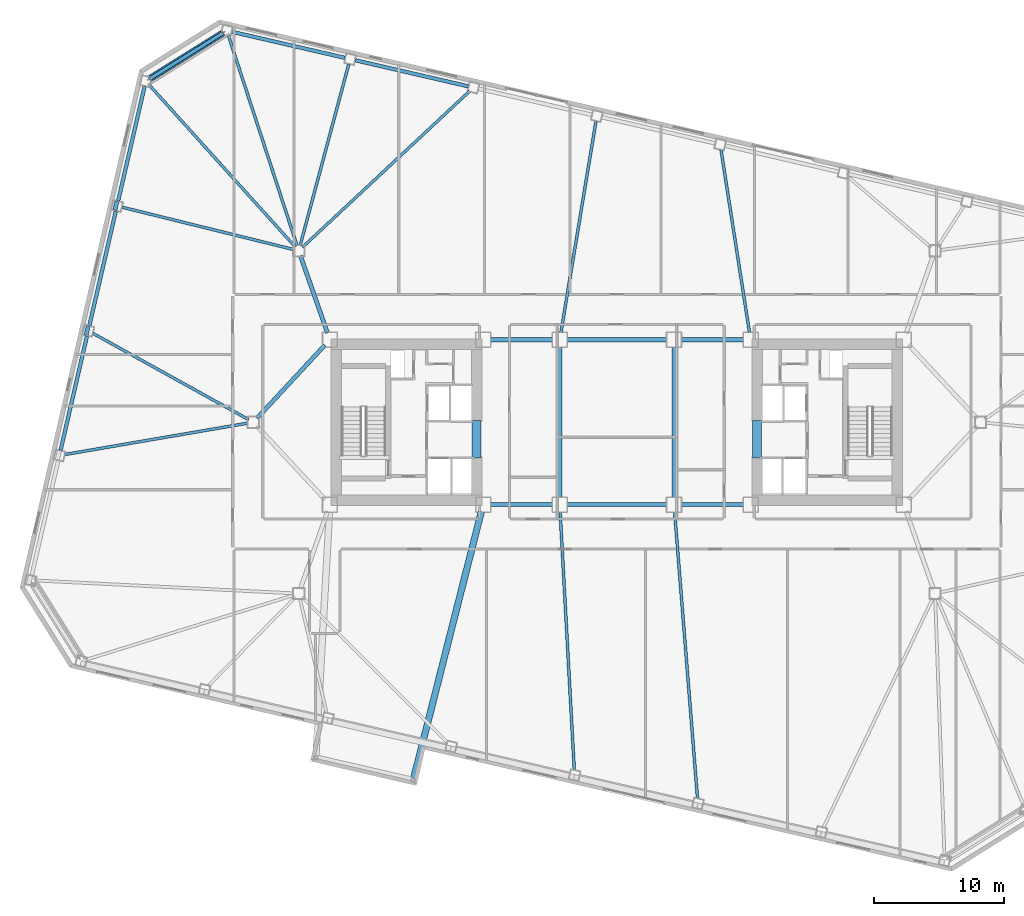
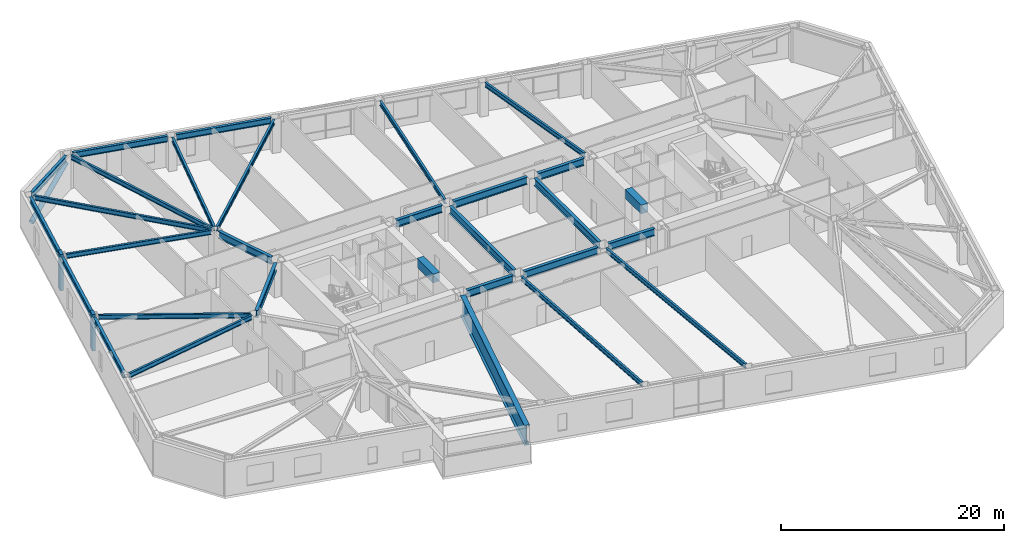
# One storey, part 4 of 18: 30 beams, 3 members.
"""IFC4 building model written with IfcOpenShell, lengths in metres."""

from ifc_helpers import new_model, si_unit, direction, frame, origin, origin_2d, place, context, subcontext, project, spatial, rectangle, hollow_circle, i_section, extrude, material, material_profile, profile_set, type_object, element, save


model = new_model("IFC4")

# Units and contexts
model_context = context("Model", 3, precision=1e-05, world=origin(), true_north=direction((0.0, 1.0)))
body_context = subcontext(model_context, "Body", "Model", "MODEL_VIEW")
ifc_project = project(units=[si_unit("LENGTHUNIT", "METRE"), si_unit("AREAUNIT", "SQUARE_METRE"), si_unit("VOLUMEUNIT", "CUBIC_METRE"), si_unit("PLANEANGLEUNIT", "RADIAN"), si_unit("MASSUNIT", "GRAM", prefix="KILO")], contexts=[model_context])

# Site, building, storey
site_placement = place(None, origin())
site = spatial("IfcSite", under=ifc_project, at=site_placement, CompositionType="ELEMENT")
building_placement = place(site_placement, origin())
building = spatial("IfcBuilding", under=site, at=building_placement, Name="Tavrogorsk Clinical Tower", CompositionType="ELEMENT")
storey_placement = place(building_placement, frame((0.0, 0.0, 47.39990234375)))
storey = spatial("IfcBuildingStorey", under=building, at=storey_placement, Name="L09", CompositionType="ELEMENT", Elevation=47.39990234375)

# Beams
ifc_material_1 = material(Name="Concrete B80", Category="concrete")
ifc_material_profile_1 = material_profile(ifc_material_1, rectangle(XDim=0.699951171875, YDim=0.949951171875, at=origin_2d()), Name="RC-CB-700x950")
ifc_profile_set_1 = profile_set([ifc_material_profile_1], Name="Concrete B80")
beam_type_1 = type_object("IfcBeamType", Name="CouplingBeam_RC700x950", PredefinedType="LINTEL", material=ifc_profile_set_1)
for number, where, z_axis, x_axis, name in (
    (1, (-10.800048828125, -2.75, 3.26513671875), (0.0, 1.0, 0.0), (-1.0, 0.0, 0.0), "L09 Core West Coupling Beam"),
    (2, (10.800048828125, -2.75, 3.26513671875), (0.0, 1.0, 0.0), (-1.0, 0.0, 0.0), "L09 Core East Coupling Beam"),
):
    element("IfcBeam", number, at=place(storey_placement, frame(where, z_axis=z_axis, x_axis=x_axis)), inside=storey, type_object=beam_type_1, Name=name, PredefinedType="LINTEL", context=body_context, shape_type="SweptSolid", body=[
        extrude(rectangle(XDim=0.699951171875, YDim=0.949951171875, at=origin_2d()), origin(), (0.0, 0.0, 1.0), 2.89990234375),
    ])

# Member
ifc_material_2 = material(Name="Structural steel S440", Category="steel")
ifc_material_profile_2 = material_profile(ifc_material_2, hollow_circle(Radius=0.25390625, WallThickness=0.02001953125, at=origin_2d()), Name="CHS-508x20")
ifc_profile_set_2 = profile_set([ifc_material_profile_2], Name="Structural steel S440")
member_type_1 = type_object("IfcMemberType", Name="ExoBrace_CHS508", PredefinedType="BRACE", material=ifc_profile_set_2)
member_placement = place(storey_placement, frame((-35.951904296875, 26.46240234375, 0.442626953125), z_axis=(0.794678685861, 0.496570017703, 0.349147538667), x_axis=(-0.529919005048, 0.848048258113, 0.0)))
element("IfcMember", 3, at=member_placement, inside=storey, type_object=member_type_1, Name="L09 Corner Exoskeleton Brace N8-W1", PredefinedType="BRACE", context=body_context, shape_type="SweptSolid", body=[
    extrude(hollow_circle(Radius=0.25390625, WallThickness=0.02001953125, at=origin_2d()), origin(), (0.0, 0.0, 1.0), 7.03173828125),
])

# Beams
ifc_material_3 = material(Name="Structural steel S355", Category="steel")
ifc_material_profile_3 = material_profile(ifc_material_3, i_section(OverallWidth=0.219970703125, OverallDepth=0.5, WebThickness=0.012939453125, FlangeThickness=0.02001953125, at=origin_2d()), Name="B-500x220x13x20")
ifc_profile_set_3 = profile_set([ifc_material_profile_3], Name="Structural steel S355")
beam_type_2 = type_object("IfcBeamType", Name="FloorBeam_B500", PredefinedType="BEAM", material=ifc_profile_set_3)
beam_1_placement = place(storey_placement, frame((-4.369384765625, -6.9091796875, 3.489990234375), z_axis=(0.054826938013, -0.998495872234, 0.0), x_axis=(0.998495872234, 0.054826938013, 0.0)))
element("IfcBeam", 4, at=beam_1_placement, inside=storey, type_object=beam_type_2, Name="L09 Radial Floor Beam S5", PredefinedType="BEAM", context=body_context, shape_type="SweptSolid", body=[
    extrude(i_section(OverallWidth=0.219970703125, OverallDepth=0.5, WebThickness=0.012939453125, FlangeThickness=0.02001953125, at=origin_2d()), origin(), (0.0, 0.0, 1.0), 19.891357421875),
])
beam_2_placement = place(storey_placement, frame((4.444580078125, -6.908203125, 3.489990234375), z_axis=(0.079775043579, -0.996812892384, 0.0), x_axis=(0.996812892384, 0.079775043579, 0.0)))
element("IfcBeam", 5, at=beam_2_placement, inside=storey, type_object=beam_type_2, Name="L09 Radial Floor Beam S6", PredefinedType="BEAM", context=body_context, shape_type="SweptSolid", body=[
    extrude(i_section(OverallWidth=0.219970703125, OverallDepth=0.5, WebThickness=0.012939453125, FlangeThickness=0.02001953125, at=origin_2d()), origin(), (0.0, 0.0, 1.0), 22.12646484375),
])
beam_3_placement = place(storey_placement, frame((10.213623046875, 6.9033203125, 3.489990234375), z_axis=(-0.154089917001, 0.988056829073, 0.0), x_axis=(-0.988056829073, -0.154089917001, 0.0)))
element("IfcBeam", 6, at=beam_3_placement, inside=storey, type_object=beam_type_2, Name="L09 Radial Floor Beam N4", PredefinedType="BEAM", context=body_context, shape_type="SweptSolid", body=[
    extrude(i_section(OverallWidth=0.219970703125, OverallDepth=0.5, WebThickness=0.012939453125, FlangeThickness=0.02001953125, at=origin_2d()), origin(), (0.0, 0.0, 1.0), 14.24853515625),
])
beam_4_placement = place(storey_placement, frame((-4.308349609375, 6.90234375, 3.489990234375), z_axis=(0.163563683006, 0.986532777763, 0.0), x_axis=(-0.986532777763, 0.163563683006, 0.0)))
element("IfcBeam", 7, at=beam_4_placement, inside=storey, type_object=beam_type_2, Name="L09 Radial Floor Beam N5", PredefinedType="BEAM", context=body_context, shape_type="SweptSolid", body=[
    extrude(i_section(OverallWidth=0.219970703125, OverallDepth=0.5, WebThickness=0.012939453125, FlangeThickness=0.02001953125, at=origin_2d()), origin(), (0.0, 0.0, 1.0), 16.4951171875),
])
beam_5_placement = place(storey_placement, frame((-24.200439453125, 13.47998046875, 3.489990234375), z_axis=(0.730781163302, 0.682611816015, 0.0), x_axis=(-0.682611816015, 0.730781163302, 0.0)))
element("IfcBeam", 8, at=beam_5_placement, inside=storey, type_object=beam_type_2, Name="L09 Radial Floor Beam N6", PredefinedType="BEAM", context=body_context, shape_type="SweptSolid", body=[
    extrude(i_section(OverallWidth=0.219970703125, OverallDepth=0.5, WebThickness=0.012939453125, FlangeThickness=0.02001953125, at=origin_2d()), origin(), (0.0, 0.0, 1.0), 17.597412109375),
])
beam_6_placement = place(storey_placement, frame((-24.393798828125, 13.595947265625, 3.489990234375), z_axis=(0.25900262632, 0.965876617151, 0.0), x_axis=(-0.965876617151, 0.25900262632, 0.0)))
element("IfcBeam", 9, at=beam_6_placement, inside=storey, type_object=beam_type_2, Name="L09 Radial Floor Beam N7", PredefinedType="BEAM", context=body_context, shape_type="SweptSolid", body=[
    extrude(i_section(OverallWidth=0.219970703125, OverallDepth=0.5, WebThickness=0.012939453125, FlangeThickness=0.02001953125, at=origin_2d()), origin(), (0.0, 0.0, 1.0), 14.46728515625),
])
beam_7_placement = place(storey_placement, frame((-24.62744140625, 13.58984375, 3.489990234375), z_axis=(-0.310546210819, 0.950558283824, 0.0), x_axis=(-0.950558283824, -0.310546210819, 0.0)))
element("IfcBeam", 10, at=beam_7_placement, inside=storey, type_object=beam_type_2, Name="L09 Radial Floor Beam N8", PredefinedType="BEAM", context=body_context, shape_type="SweptSolid", body=[
    extrude(i_section(OverallWidth=0.219970703125, OverallDepth=0.5, WebThickness=0.012939453125, FlangeThickness=0.02001953125, at=origin_2d()), origin(), (0.0, 0.0, 1.0), 17.0205078125),
])
beam_8_placement = place(storey_placement, frame((-24.774658203125, 13.50439453125, 3.489990234375), z_axis=(-0.669660294237, 0.742667550337, 0.0), x_axis=(-0.742667550337, -0.669660294237, 0.0)))
element("IfcBeam", 11, at=beam_8_placement, inside=storey, type_object=beam_type_2, Name="L09 Radial Floor Beam W1", PredefinedType="BEAM", context=body_context, shape_type="SweptSolid", body=[
    extrude(i_section(OverallWidth=0.219970703125, OverallDepth=0.5, WebThickness=0.012939453125, FlangeThickness=0.02001953125, at=origin_2d()), origin(), (0.0, 0.0, 1.0), 16.76708984375),
])
beam_9_placement = place(storey_placement, frame((-24.89794921875, 13.298095703125, 3.489990234375), z_axis=(-0.970889910259, 0.23952616174, 0.0), x_axis=(-0.23952616174, -0.970889910259, 0.0)))
element("IfcBeam", 12, at=beam_9_placement, inside=storey, type_object=beam_type_2, Name="L09 Radial Floor Beam W2", PredefinedType="BEAM", context=body_context, shape_type="SweptSolid", body=[
    extrude(i_section(OverallWidth=0.219970703125, OverallDepth=0.5, WebThickness=0.012939453125, FlangeThickness=0.02001953125, at=origin_2d()), origin(), (0.0, 0.0, 1.0), 13.595947265625),
])
beam_10_placement = place(storey_placement, frame((-28.358642578125, 0.19873046875, 3.489990234375), z_axis=(-0.874654711976, 0.484746464472, 0.0), x_axis=(-0.484746464472, -0.874654711976, 0.0)))
element("IfcBeam", 13, at=beam_10_placement, inside=storey, type_object=beam_type_2, Name="L09 Radial Floor Beam W3", PredefinedType="BEAM", context=body_context, shape_type="SweptSolid", body=[
    extrude(i_section(OverallWidth=0.219970703125, OverallDepth=0.5, WebThickness=0.012939453125, FlangeThickness=0.02001953125, at=origin_2d()), origin(), (0.0, 0.0, 1.0), 13.7158203125),
])
beam_11_placement = place(storey_placement, frame((-28.404052734375, -0.0693359375, 3.489990234375), z_axis=(-0.985592408786, -0.169137824698, 0.0), x_axis=(0.169137824698, -0.985592408786, 0.0)))
element("IfcBeam", 14, at=beam_11_placement, inside=storey, type_object=beam_type_2, Name="L09 Radial Floor Beam W4", PredefinedType="BEAM", context=body_context, shape_type="SweptSolid", body=[
    extrude(i_section(OverallWidth=0.219970703125, OverallDepth=0.5, WebThickness=0.012939453125, FlangeThickness=0.02001953125, at=origin_2d()), origin(), (0.0, 0.0, 1.0), 14.33056640625),
])

# Members
ifc_material_4 = material(Name="Precast concrete B45 with limestone cladding", Category="masonry")
ifc_material_profile_4 = material_profile(ifc_material_4, rectangle(XDim=0.320068359375, YDim=0.719970703125, at=origin_2d()), Name="LIMESTONE-FIN-320x720")
ifc_profile_set_4 = profile_set([ifc_material_profile_4], Name="Precast concrete B45 with limestone cladding")
member_type_2 = type_object("IfcMemberType", Name="LimestonePleatFin_320x720", PredefinedType="USERDEFINED", material=ifc_profile_set_4)
for number, where, z_axis, x_axis, name in (
    (15, (-38.572265625, 16.67041015625, 0.0), (0.0, 0.0, 1.0), (0.974370064785, -0.224951054344, 0.0), "L09 W Pleated Stone Fin 1"),
    (16, (-40.7900390625, 7.06298828125, 0.0), (0.0, 0.0, 1.0), (0.974370064785, -0.224951054344, 0.0), "L09 W Pleated Stone Fin 2"),
):
    element("IfcMember", number, at=place(storey_placement, frame(where, z_axis=z_axis, x_axis=x_axis)), inside=storey, type_object=member_type_2, Name=name, ObjectType="FIN", PredefinedType="USERDEFINED", context=body_context, shape_type="SweptSolid", body=[
        extrude(rectangle(XDim=0.320068359375, YDim=0.719970703125, at=origin_2d()), origin(), (0.0, 0.0, 1.0), 4.0),
    ])

# Beams
ifc_material_5 = material(Name="Structural steel S390", Category="steel")
ifc_material_profile_5 = material_profile(ifc_material_5, i_section(OverallWidth=0.320068359375, OverallDepth=0.800048828125, WebThickness=0.02001953125, FlangeThickness=0.033935546875, at=origin_2d()), Name="B-800x320x20x34")
ifc_profile_set_5 = profile_set([ifc_material_profile_5], Name="Structural steel S390")
beam_type_3 = type_object("IfcBeamType", Name="PrimaryGirder_B800", PredefinedType="USERDEFINED", material=ifc_profile_set_5)
for number, where, z_axis, x_axis, name in (
    (17, (-9.739990234375, -6.35009765625, 3.340087890625), (1.0, 0.0, 0.0), (0.0, 1.0, 0.0), "L09 Primary Spine Girder MG-01"),
    (18, (-9.739990234375, 6.35009765625, 3.340087890625), (1.0, 0.0, 0.0), (0.0, 1.0, 0.0), "L09 Primary Spine Girder MG-02"),
):
    element("IfcBeam", number, at=place(storey_placement, frame(where, z_axis=z_axis, x_axis=x_axis)), inside=storey, type_object=beam_type_3, Name=name, ObjectType="GIRDER", PredefinedType="USERDEFINED", context=body_context, shape_type="SweptSolid", body=[
        extrude(i_section(OverallWidth=0.320068359375, OverallDepth=0.800048828125, WebThickness=0.02001953125, FlangeThickness=0.033935546875, at=origin_2d()), origin(), (0.0, 0.0, 1.0), 4.780029296875),
    ])
for number, where, z_axis, x_axis, name in (
    (19, (-3.840087890625, -6.35009765625, 3.340087890625), (1.0, 0.0, 0.0), (0.0, 1.0, 0.0), "L09 Primary Spine Girder MG-03"),
    (20, (-3.840087890625, 6.35009765625, 3.340087890625), (1.0, 0.0, 0.0), (0.0, 1.0, 0.0), "L09 Primary Spine Girder MG-04"),
):
    element("IfcBeam", number, at=place(storey_placement, frame(where, z_axis=z_axis, x_axis=x_axis)), inside=storey, type_object=beam_type_3, Name=name, ObjectType="GIRDER", PredefinedType="USERDEFINED", context=body_context, shape_type="SweptSolid", body=[
        extrude(i_section(OverallWidth=0.320068359375, OverallDepth=0.800048828125, WebThickness=0.02001953125, FlangeThickness=0.033935546875, at=origin_2d()), origin(), (0.0, 0.0, 1.0), 7.68017578125),
    ])
for number, where, z_axis, x_axis, name in (
    (21, (4.9599609375, -6.35009765625, 3.340087890625), (1.0, 0.0, 0.0), (0.0, 1.0, 0.0), "L09 Primary Spine Girder MG-05"),
    (22, (4.9599609375, 6.35009765625, 3.340087890625), (1.0, 0.0, 0.0), (0.0, 1.0, 0.0), "L09 Primary Spine Girder MG-06"),
):
    element("IfcBeam", number, at=place(storey_placement, frame(where, z_axis=z_axis, x_axis=x_axis)), inside=storey, type_object=beam_type_3, Name=name, ObjectType="GIRDER", PredefinedType="USERDEFINED", context=body_context, shape_type="SweptSolid", body=[
        extrude(i_section(OverallWidth=0.320068359375, OverallDepth=0.800048828125, WebThickness=0.02001953125, FlangeThickness=0.033935546875, at=origin_2d()), origin(), (0.0, 0.0, 1.0), 4.780029296875),
    ])
for number, where, z_axis, x_axis, name in (
    (23, (-4.39990234375, -5.7900390625, 3.340087890625), (0.0, 1.0, 0.0), (-1.0, 0.0, 0.0), "L09 Primary Spine Girder MG-07"),
    (24, (4.39990234375, -5.7900390625, 3.340087890625), (0.0, 1.0, 0.0), (-1.0, 0.0, 0.0), "L09 Primary Spine Girder MG-08"),
):
    element("IfcBeam", number, at=place(storey_placement, frame(where, z_axis=z_axis, x_axis=x_axis)), inside=storey, type_object=beam_type_3, Name=name, ObjectType="GIRDER", PredefinedType="USERDEFINED", context=body_context, shape_type="SweptSolid", body=[
        extrude(i_section(OverallWidth=0.320068359375, OverallDepth=0.800048828125, WebThickness=0.02001953125, FlangeThickness=0.033935546875, at=origin_2d()), origin(), (0.0, 0.0, 1.0), 11.580078125),
    ])
beam_12_placement = place(storey_placement, frame((-24.364501953125, 12.81298828125, 3.340087890625), z_axis=(0.330668611543, -0.943746930771, 0.0), x_axis=(0.943746930771, 0.330668611543, 0.0)))
element("IfcBeam", 25, at=beam_12_placement, inside=storey, type_object=beam_type_3, Name="L09 Spine Link Girder OPG-3", ObjectType="GIRDER", PredefinedType="USERDEFINED", context=body_context, shape_type="SweptSolid", body=[
    extrude(i_section(OverallWidth=0.320068359375, OverallDepth=0.800048828125, WebThickness=0.02001953125, FlangeThickness=0.033935546875, at=origin_2d()), origin(), (0.0, 0.0, 1.0), 6.288330078125),
])
beam_13_placement = place(storey_placement, frame((-27.720947265625, 0.30029296875, 3.340087890625), z_axis=(0.680671250221, 0.732589004233, 0.0), x_axis=(-0.732589004233, 0.680671250221, 0.0)))
element("IfcBeam", 26, at=beam_13_placement, inside=storey, type_object=beam_type_3, Name="L09 Spine Link Girder OPG-6", ObjectType="GIRDER", PredefinedType="USERDEFINED", context=body_context, shape_type="SweptSolid", body=[
    extrude(i_section(OverallWidth=0.320068359375, OverallDepth=0.800048828125, WebThickness=0.02001953125, FlangeThickness=0.033935546875, at=origin_2d()), origin(), (0.0, 0.0, 1.0), 7.697998046875),
])
ifc_material_6 = material(Name="Structural steel S390", Category="steel")
ifc_material_profile_6 = material_profile(ifc_material_6, i_section(OverallWidth=0.280029296875, OverallDepth=0.64990234375, WebThickness=0.01611328125, FlangeThickness=0.02490234375, at=origin_2d()), Name="B-650x280x16x25")
ifc_profile_set_6 = profile_set([ifc_material_profile_6], Name="Structural steel S390")
beam_type_4 = type_object("IfcBeamType", Name="SpandrelBeam_B650", PredefinedType="SPANDREL", material=ifc_profile_set_6)
for number, where, z_axis, x_axis, name in (
    (27, (-11.43994140625, 25.862548828125, 3.4150390625), (-0.974372766602, 0.224939351168, 0.0), (-0.224939351168, -0.974372766602, 0.0), "L09 Perimeter Spandrel N6-N7"),
    (28, (-20.9384765625, 28.055419921875, 3.4150390625), (-0.974366775889, 0.224965299645, 0.0), (-0.224965299645, -0.974366775889, 0.0), "L09 Perimeter Spandrel N7-N8"),
):
    element("IfcBeam", number, at=place(storey_placement, frame(where, z_axis=z_axis, x_axis=x_axis)), inside=storey, type_object=beam_type_4, Name=name, PredefinedType="SPANDREL", context=body_context, shape_type="SweptSolid", body=[
        extrude(i_section(OverallWidth=0.280029296875, OverallDepth=0.64990234375, WebThickness=0.01611328125, FlangeThickness=0.02490234375, at=origin_2d()), origin(), (0.0, 0.0, 1.0), 8.9326171875),
    ])
beam_14_placement = place(storey_placement, frame((-30.3857421875, 29.9404296875, 3.4150390625), z_axis=(-0.848044454239, -0.529925092475, 0.0), x_axis=(0.529925092475, -0.848044454239, 0.0)))
element("IfcBeam", 29, at=beam_14_placement, inside=storey, type_object=beam_type_4, Name="L09 Perimeter Spandrel N8-W1", PredefinedType="SPANDREL", context=body_context, shape_type="SweptSolid", body=[
    extrude(i_section(OverallWidth=0.280029296875, OverallDepth=0.64990234375, WebThickness=0.01611328125, FlangeThickness=0.02490234375, at=origin_2d()), origin(), (0.0, 0.0, 1.0), 6.537841796875),
])
beam_15_placement = place(storey_placement, frame((-36.367919921875, 25.862060546875, 3.4150390625), z_axis=(-0.224952169462, -0.974369807339, 0.0), x_axis=(0.974369807339, -0.224952169462, 0.0)))
element("IfcBeam", 30, at=beam_15_placement, inside=storey, type_object=beam_type_4, Name="L09 Perimeter Spandrel W1-W2", PredefinedType="SPANDREL", context=body_context, shape_type="SweptSolid", body=[
    extrude(i_section(OverallWidth=0.280029296875, OverallDepth=0.64990234375, WebThickness=0.01611328125, FlangeThickness=0.02490234375, at=origin_2d()), origin(), (0.0, 0.0, 1.0), 9.043701171875),
])
beam_16_placement = place(storey_placement, frame((-38.5859375, 16.2548828125, 3.4150390625), z_axis=(-0.224946252597, -0.974371173343, 0.0), x_axis=(0.974371173343, -0.224946252597, 0.0)))
element("IfcBeam", 31, at=beam_16_placement, inside=storey, type_object=beam_type_4, Name="L09 Perimeter Spandrel W2-W3", PredefinedType="SPANDREL", context=body_context, shape_type="SweptSolid", body=[
    extrude(i_section(OverallWidth=0.280029296875, OverallDepth=0.64990234375, WebThickness=0.01611328125, FlangeThickness=0.02490234375, at=origin_2d()), origin(), (0.0, 0.0, 1.0), 9.0439453125),
])
beam_17_placement = place(storey_placement, frame((-40.803955078125, 6.6474609375, 3.4150390625), z_axis=(-0.224952169462, -0.974369807339, 0.0), x_axis=(0.974369807339, -0.224952169462, 0.0)))
element("IfcBeam", 32, at=beam_17_placement, inside=storey, type_object=beam_type_4, Name="L09 Perimeter Spandrel W3-W4", PredefinedType="SPANDREL", context=body_context, shape_type="SweptSolid", body=[
    extrude(i_section(OverallWidth=0.280029296875, OverallDepth=0.64990234375, WebThickness=0.01611328125, FlangeThickness=0.02490234375, at=origin_2d()), origin(), (0.0, 0.0, 1.0), 9.043701171875),
])
ifc_material_7 = material(Name="Structural steel S440", Category="steel")
ifc_material_profile_7 = material_profile(ifc_material_7, i_section(OverallWidth=0.5, OverallDepth=2.199951171875, WebThickness=0.035888671875, FlangeThickness=0.054931640625, at=origin_2d()), Name="DK-2200x500x36x55")
ifc_profile_set_7 = profile_set([ifc_material_profile_7], Name="Structural steel S440")
beam_type_5 = type_object("IfcBeamType", Name="TransferGirder_DK2200", PredefinedType="USERDEFINED", material=ifc_profile_set_7)
beam_18_placement = place(storey_placement, frame((-10.437744140625, -6.892822265625, 2.64013671875), z_axis=(-0.246079129075, -0.969249741931, 0.0), x_axis=(0.969249741931, -0.246079129075, 0.0)))
element("IfcBeam", 33, at=beam_18_placement, inside=storey, type_object=beam_type_5, Name="L09 Day-Room Cantilever Beam DRB-01-R", ObjectType="GIRDER", PredefinedType="USERDEFINED", context=body_context, shape_type="SweptSolid", body=[
    extrude(i_section(OverallWidth=0.5, OverallDepth=2.199951171875, WebThickness=0.035888671875, FlangeThickness=0.054931640625, at=origin_2d()), origin(), (0.0, 0.0, 1.0), 21.19482421875),
])

save(model, "model.ifc")
